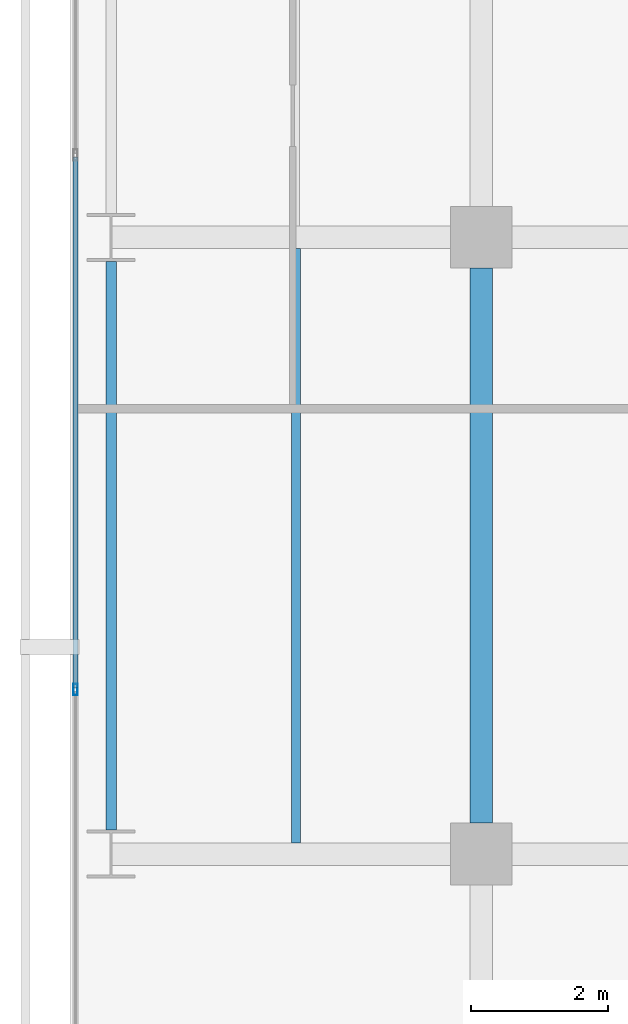
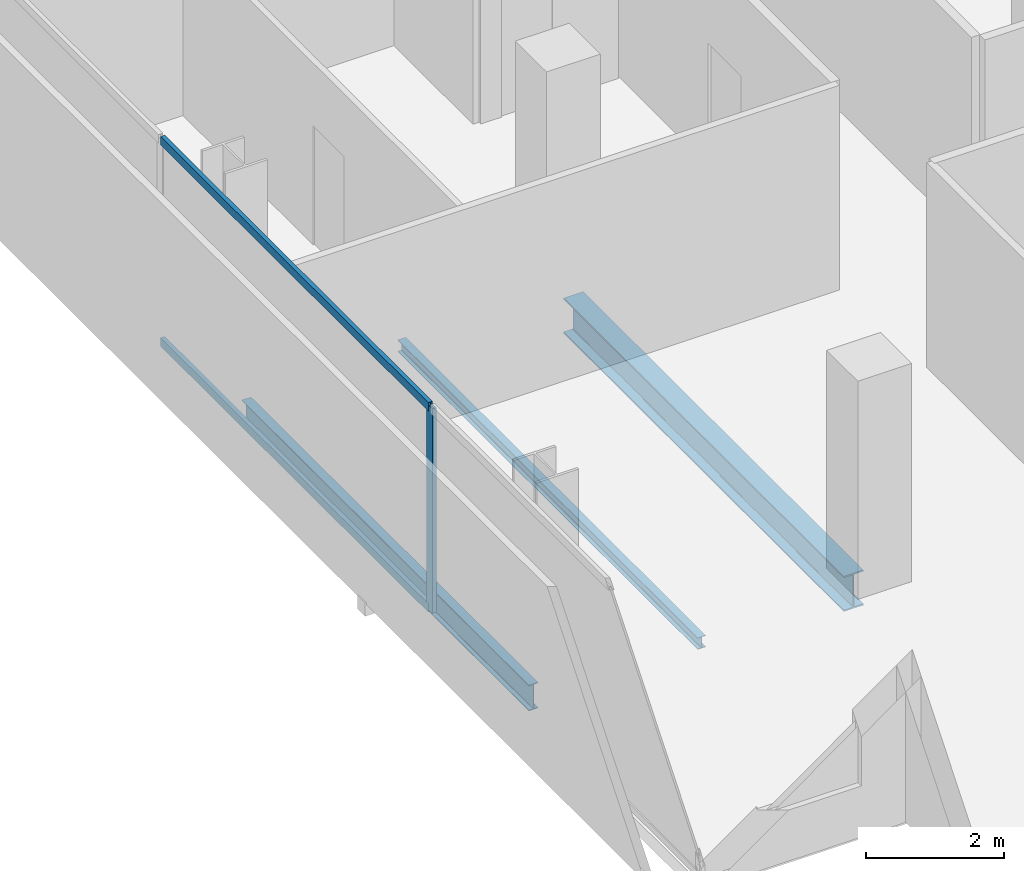
# One storey, part 5 of 40: 3 beams, 3 members, 1 element without a shape of its own.
"""IFC4 building model written with IfcOpenShell, lengths in metres."""

from ifc_helpers import new_model, si_unit, direction, frame, origin, origin_2d, place, context, subcontext, project, spatial, hollow_rectangle, i_section, extrude, material, layer, layer_set, material_profile, profile_set, type_object, element, aggregate, save


model = new_model("IFC4")

# Units and contexts
model_context = context("Model", 3, precision=1e-05, world=origin(), true_north=direction((0.0, 1.0)))
body_context = subcontext(model_context, "Body", "Model", "MODEL_VIEW")
ifc_project = project(units=[si_unit("LENGTHUNIT", "METRE"), si_unit("AREAUNIT", "SQUARE_METRE"), si_unit("VOLUMEUNIT", "CUBIC_METRE"), si_unit("PLANEANGLEUNIT", "RADIAN"), si_unit("MASSUNIT", "GRAM", prefix="KILO")], contexts=[model_context])

# Site, building, storey
site_placement = place(None, origin())
site = spatial("IfcSite", under=ifc_project, at=site_placement, CompositionType="ELEMENT")
building_placement = place(site_placement, origin())
building = spatial("IfcBuilding", under=site, at=building_placement, Name="Maruvema Waterfront Hotel and Observation Tower", CompositionType="ELEMENT")
storey_placement = place(building_placement, frame((0.0, 0.0, 73.14990234375)))
storey = spatial("IfcBuildingStorey", under=building, at=storey_placement, Name="L17", CompositionType="ELEMENT", Elevation=73.14990234375)

# Curtain wall, members
ifc_material_1 = material(Name="Anodised bronze aluminium and solar-control low-E IGU", Category="aluminium")
ifc_layer = layer(ifc_material_1, 0.159912109375, Name="Zone 1 Bronze Inner Thermal Curtain Wall System CW-02")
ifc_layer_set = layer_set([ifc_layer], Name="Anodised bronze aluminium and solar-control low-E IGU")
curtain_wall_type = type_object("IfcCurtainWallType", Name="Zone 1 Bronze Inner Thermal Curtain Wall System CW-02", PredefinedType="USERDEFINED", material=ifc_layer_set)
curtain_wall_placement = place(storey_placement, origin())
curtain_wall = element("IfcCurtainWall", 1, at=curtain_wall_placement, inside=storey, type_object=curtain_wall_type, Name="L17 Curtain Wall CW-L17-W", ObjectType="UNITISED CURTAIN WALL", PredefinedType="USERDEFINED")
ifc_material_2 = material(Name="Anodised architectural bronze aluminium", Category="aluminium")
ifc_material_profile_1 = material_profile(ifc_material_2, hollow_rectangle(XDim=0.070068359375, YDim=0.14990234375, WallThickness=0.00390625, at=origin_2d()), Name="ALU-T70x150")
ifc_profile_set_1 = profile_set([ifc_material_profile_1], Name="Anodised architectural bronze aluminium")
member_type_1 = type_object("IfcMemberType", Name="Curtain Wall Horizontal Transom ALU-T70x150", PredefinedType="USERDEFINED", material=ifc_profile_set_1)
member_1_placement = place(storey_placement, frame((10.8798828125, 19.169921875, 0.030029296875), z_axis=(0.0, -1.0, 0.0), x_axis=(1.0, 0.0, 0.0)))
member_1 = element("IfcMember", 2, at=member_1_placement, type_object=member_type_1, Name="CW-02 transom 5.1", ObjectType="TRANSOM", PredefinedType="USERDEFINED", context=body_context, shape_type="SweptSolid", body=[
    extrude(hollow_rectangle(XDim=0.070068359375, YDim=0.14990234375, WallThickness=0.00390625, at=origin_2d()), origin(), (0.0, 0.0, 1.0), 7.739990234375),
])
member_2_placement = place(storey_placement, frame((10.8798828125, 19.169921875, 3.580078125), z_axis=(0.0, -1.0, 0.0), x_axis=(1.0, 0.0, 0.0)))
member_2 = element("IfcMember", 3, at=member_2_placement, type_object=member_type_1, Name="CW-02 transom 5.2", ObjectType="TRANSOM", PredefinedType="USERDEFINED", context=body_context, shape_type="SweptSolid", body=[
    extrude(hollow_rectangle(XDim=0.070068359375, YDim=0.14990234375, WallThickness=0.00390625, at=origin_2d()), origin(), (0.0, 0.0, 1.0), 7.739990234375),
])
ifc_material_3 = material(Name="Anodised architectural bronze aluminium", Category="aluminium")
ifc_material_profile_2 = material_profile(ifc_material_3, hollow_rectangle(XDim=0.06494140625, YDim=0.1650390625, WallThickness=0.00390625, at=origin_2d()), Name="ALU-M65x165")
ifc_profile_set_2 = profile_set([ifc_material_profile_2], Name="Anodised architectural bronze aluminium")
member_type_2 = type_object("IfcMemberType", Name="Curtain Wall Primary Mullion ALU-M65x165", PredefinedType="MULLION", material=ifc_profile_set_2)
member_3_placement = place(storey_placement, frame((10.8798828125, 11.39990234375, 0.0), z_axis=(0.0, 0.0, 1.0), x_axis=(1.0, 0.0, 0.0)))
member_3 = element("IfcMember", 4, at=member_3_placement, type_object=member_type_2, Name="CW-02 mullion 6", PredefinedType="MULLION", context=body_context, shape_type="SweptSolid", body=[
    extrude(hollow_rectangle(XDim=0.06494140625, YDim=0.1650390625, WallThickness=0.00390625, at=origin_2d()), origin(), (0.0, 0.0, 1.0), 3.610107421875),
])
aggregate(curtain_wall, [member_3, member_1, member_2])

# Beams
ifc_material_4 = material(Name="Steel ASTM A572 Grade 50", Category="steel")
ifc_material_profile_3 = material_profile(ifc_material_4, i_section(OverallWidth=0.153076171875, OverallDepth=0.455078125, WebThickness=0.008056640625, FlangeThickness=0.01318359375, FilletRadius=0.014892578125, at=origin_2d()), Name="W460x60.0")
ifc_profile_set_3 = profile_set([ifc_material_profile_3], Name="Steel ASTM A572 Grade 50")
beam_type_1 = type_object("IfcBeamType", Name="Perimeter Spandrel Beam W460x60.0", PredefinedType="SPANDREL", material=ifc_profile_set_3)
beam_1_placement = place(storey_placement, frame((11.39990234375, 9.35009765625, -0.46728515625), z_axis=(0.0, 1.0, 0.0), x_axis=(-1.0, 0.0, 0.0)))
element("IfcBeam", 5, at=beam_1_placement, inside=storey, type_object=beam_type_1, Name="L17 Floor Girder NS-01", PredefinedType="SPANDREL", context=body_context, shape_type="SweptSolid", body=[
    extrude(i_section(OverallWidth=0.153076171875, OverallDepth=0.455078125, WebThickness=0.008056640625, FlangeThickness=0.01318359375, FilletRadius=0.014892578125, at=origin_2d()), origin(), (0.0, 0.0, 1.0), 8.2998046875),
])
ifc_material_5 = material(Name="Steel ASTM A572 Grade 50", Category="steel")
ifc_material_profile_4 = material_profile(ifc_material_5, i_section(OverallWidth=0.326904296875, OverallDepth=0.6220703125, WebThickness=0.015380859375, FlangeThickness=0.0244140625, FilletRadius=0.01806640625, at=origin_2d()), Name="W610x195.0")
ifc_profile_set_4 = profile_set([ifc_material_profile_4], Name="Steel ASTM A572 Grade 50")
beam_type_2 = type_object("IfcBeamType", Name="Primary Floor Girder W610x195.0", PredefinedType="BEAM", material=ifc_profile_set_4)
beam_2_placement = place(storey_placement, frame((16.800048828125, 9.449951171875, -0.55078125), z_axis=(0.0, 1.0, 0.0), x_axis=(-1.0, 0.0, 0.0)))
element("IfcBeam", 6, at=beam_2_placement, inside=storey, type_object=beam_type_2, Name="L17 Floor Girder NS-06", PredefinedType="BEAM", context=body_context, shape_type="SweptSolid", body=[
    extrude(i_section(OverallWidth=0.326904296875, OverallDepth=0.6220703125, WebThickness=0.015380859375, FlangeThickness=0.0244140625, FilletRadius=0.01806640625, at=origin_2d()), origin(), (0.0, 0.0, 1.0), 8.10009765625),
])
ifc_material_6 = material(Name="Steel ASTM A572 Grade 50", Category="steel")
ifc_material_profile_5 = material_profile(ifc_material_6, i_section(OverallWidth=0.133056640625, OverallDepth=0.20703125, WebThickness=0.005859375, FlangeThickness=0.00830078125, FilletRadius=0.010009765625, at=origin_2d()), Name="W200x26.6")
ifc_profile_set_5 = profile_set([ifc_material_profile_5], Name="Steel ASTM A572 Grade 50")
beam_type_3 = type_object("IfcBeamType", Name="Secondary Floor Joist W200x26.6", PredefinedType="JOIST", material=ifc_profile_set_5)
beam_3_placement = place(storey_placement, frame((14.10009765625, 9.16357421875, -0.343505859375), z_axis=(0.0, 1.0, 0.0), x_axis=(-1.0, 0.0, 0.0)))
element("IfcBeam", 7, at=beam_3_placement, inside=storey, type_object=beam_type_3, Name="L17 Secondary Floor Joist JS-01", PredefinedType="JOIST", context=body_context, shape_type="SweptSolid", body=[
    extrude(i_section(OverallWidth=0.133056640625, OverallDepth=0.20703125, WebThickness=0.005859375, FlangeThickness=0.00830078125, FilletRadius=0.010009765625, at=origin_2d()), origin(), (0.0, 0.0, 1.0), 8.6728515625),
])

save(model, "model.ifc")
